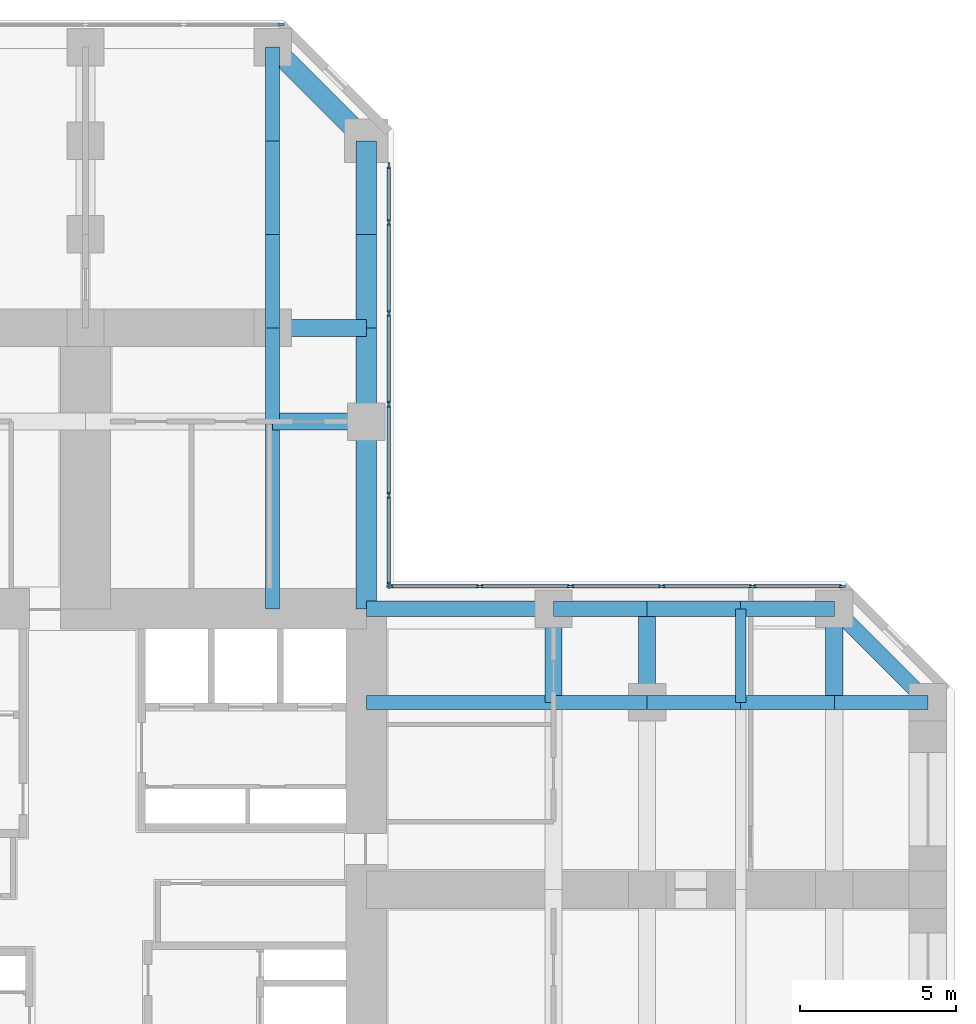
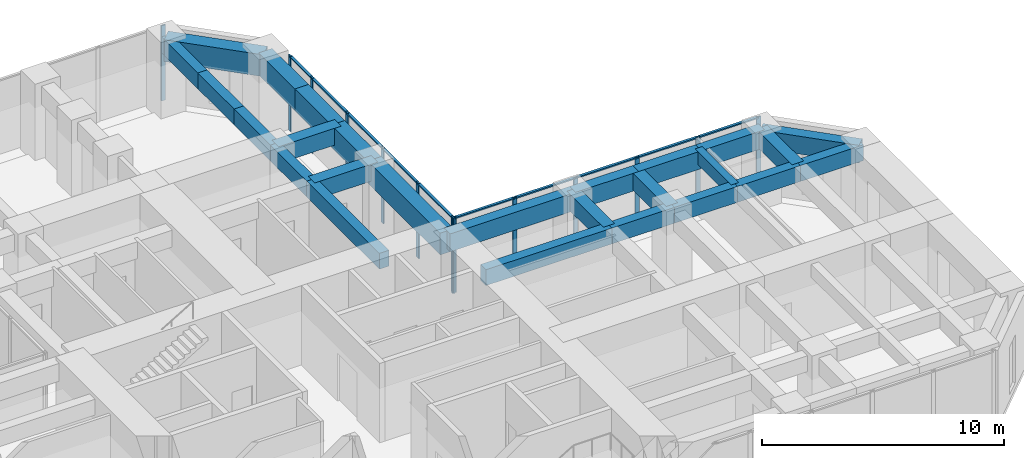
# One storey, part 6 of 12: 26 beams, 23 members, 3 elements without a shape of their own.
"""IFC4 building model written with IfcOpenShell, lengths in metres."""

import ifcopenshell
import ifcopenshell.guid

model = None  # the IFC model being written
_history = None  # IfcOwnerHistory: only IFC2X3 demands one
_inside = {}  # id of a spatial element -> (the spatial element, [elements in it])
_under = {}  # id of a project, library or spatial element -> (it, [spatial elements below it])
_declared = {}  # id of a project -> (the project, [libraries it declares])
_typed = {}  # id of a type object -> (the type object, [elements of that type])
_made_of = {}  # id of a material, layer set ... -> (it, [elements and type objects made of it])


def new_model(schema):
    """Start an empty IFC model of exactly this schema.

    Asked for "IFC4X3", IfcOpenShell would pick the latest addendum, in which some entities
    have other attributes; the version numbers below select the first issue.
    IFC2X3 requires an IfcOwnerHistory on every rooted entity: one is made here for all.
    """
    global model, _history
    if schema == "IFC4X3":
        model = ifcopenshell.file(schema_version=(4, 3, 0, 0))
    else:
        model = ifcopenshell.file(schema=schema)
    _inside.clear()
    _under.clear()
    _declared.clear()
    _typed.clear()
    _made_of.clear()
    _history = None
    if model.schema == "IFC2X3":
        org = make("IfcOrganization", Name="unknown")
        user = make(
            "IfcPersonAndOrganization",
            ThePerson=make("IfcPerson", FamilyName="unknown"),
            TheOrganization=org,
        )
        app = make(
            "IfcApplication",
            ApplicationDeveloper=org,
            Version="unknown",
            ApplicationFullName="unknown",
            ApplicationIdentifier="unknown",
        )
        _history = make(
            "IfcOwnerHistory",
            OwningUser=user,
            OwningApplication=app,
            ChangeAction="ADDED",
            CreationDate=0,
        )
    return model


def make(cls, **values):
    """One entity of the class cls with the attributes given. An attribute that is None is left unset."""
    return model.create_entity(
        cls, **{name: value for name, value in values.items() if value is not None}
    )


def rooted(cls, **values):
    """An entity with a GlobalId (a new one), such as an element, a storey or a relation."""
    return make(cls, GlobalId=ifcopenshell.guid.new(), OwnerHistory=_history, **values)


def si_unit(unit_type, name, prefix=None):
    """IfcSIUnit, for example si_unit("LENGTHUNIT", "METRE", prefix="MILLI")."""
    return make("IfcSIUnit", UnitType=unit_type, Prefix=prefix, Name=name)


def assignment(units):
    """IfcUnitAssignment: the units of a project."""
    return None if units is None else make("IfcUnitAssignment", Units=units)


def point(xyz):
    """IfcCartesianPoint."""
    return None if xyz is None else make("IfcCartesianPoint", Coordinates=xyz)


def direction(xyz):
    """IfcDirection."""
    return None if xyz is None else make("IfcDirection", DirectionRatios=xyz)


def frame(location, z_axis=None, x_axis=None):
    """IfcAxis2Placement3D, a coordinate frame: its origin and axes. An axis left out is left unset."""
    return make(
        "IfcAxis2Placement3D",
        Location=point(location),
        Axis=direction(z_axis),
        RefDirection=direction(x_axis),
    )


def frame_2d(location, x_axis=None):
    """IfcAxis2Placement2D, a coordinate frame in the plane: its origin and x axis."""
    return make(
        "IfcAxis2Placement2D", Location=point(location), RefDirection=direction(x_axis)
    )


def origin():
    """The frame at (0, 0, 0) with its axes left unset."""
    return frame((0.0, 0.0, 0.0))


def origin_2d():
    """The frame at (0, 0) in the plane with its x axis left unset."""
    return frame_2d((0.0, 0.0))


def place(relative_to, where):
    """IfcLocalPlacement: puts the frame where relative to a parent placement (None: the world)."""
    return make(
        "IfcLocalPlacement", PlacementRelTo=relative_to, RelativePlacement=where
    )


def context(
    kind, dimensions, precision=None, world=None, true_north=None, identifier=None
):
    """IfcGeometricRepresentationContext, for example the 3D "Model" context."""
    return make(
        "IfcGeometricRepresentationContext",
        ContextIdentifier=identifier,
        ContextType=kind,
        CoordinateSpaceDimension=dimensions,
        Precision=precision,
        WorldCoordinateSystem=world,
        TrueNorth=true_north,
    )


def subcontext(parent, identifier, kind, view, scale=None):
    """IfcGeometricRepresentationSubContext, for example "Body" below "Model"."""
    return make(
        "IfcGeometricRepresentationSubContext",
        ContextIdentifier=identifier,
        ContextType=kind,
        ParentContext=parent,
        TargetScale=scale,
        TargetView=view,
    )


def project(units=None, contexts=None):
    """IfcProject with its units and contexts."""
    return rooted(
        "IfcProject",
        Name="project",
        RepresentationContexts=contexts,
        UnitsInContext=assignment(units),
    )


def spatial(cls, under=None, at=None, **own):
    """A site, building, storey or space (cls), placed at a placement, below another one or the project."""
    s = rooted(cls, ObjectPlacement=at, **own)
    if under is not None:
        _under.setdefault(under.id(), (under, []))[1].append(s)
    return s


def profile(cls, at=None, kind="AREA", **sizes):
    """A parametric profile (cls). Its sizes go by their IFC names, for example OverallWidth=200.0."""
    return make(cls, ProfileType=kind, Position=at, **sizes)


def rectangle(**sizes):
    """IfcRectangleProfileDef."""
    return profile("IfcRectangleProfileDef", **sizes)


def extrude(swept, where, along, depth):
    """IfcExtrudedAreaSolid: the profile swept, set in the frame where, extruded along a direction by depth."""
    return make(
        "IfcExtrudedAreaSolid",
        SweptArea=swept,
        Position=where,
        ExtrudedDirection=direction(along),
        Depth=depth,
    )


def shape(context_of_items, identifier, shape_type, items):
    """IfcShapeRepresentation: the items that make up one representation, for example the "Body"."""
    return make(
        "IfcShapeRepresentation",
        ContextOfItems=context_of_items,
        RepresentationIdentifier=identifier,
        RepresentationType=shape_type,
        Items=items,
    )


def material(Name=None, Category=None):
    """IfcMaterial."""
    return make("IfcMaterial", Name=Name, Category=Category)


def material_profile(
    of_material, cross_section, Name=None, Category=None, Priority=None
):
    """IfcMaterialProfile: a cross section and its material."""
    return make(
        "IfcMaterialProfile",
        Name=Name,
        Material=of_material,
        Profile=cross_section,
        Priority=Priority,
        Category=Category,
    )


def profile_set(profiles, Name=None, composite=None):
    """IfcMaterialProfileSet."""
    return make(
        "IfcMaterialProfileSet",
        Name=Name,
        MaterialProfiles=profiles,
        CompositeProfile=composite,
    )


def made_of(thing, what):
    """Note that an element or type object is made of a material, layer set ...; save() writes the relation."""
    if what is not None:
        _made_of.setdefault(what.id(), (what, []))[1].append(thing)
    return thing


def type_object(cls, material=None, **own):
    """A type object (cls), such as IfcWallType, which elements share."""
    return made_of(rooted(cls, **own), material)


def element(
    cls,
    number,
    at=None,
    inside=None,
    cuts=None,
    type_object=None,
    material=None,
    context=None,
    identifier="Body",
    shape_type=None,
    held_by="IfcProductDefinitionShape",
    body=None,
    shapes=None,
    **own,
):
    """One element of the class cls, such as IfcWall. Its Tag is "e" and its number.

    at: its placement. inside: the storey or other place that contains it. cuts: it is an
    opening in that element (IfcRelVoidsElement). A single representation is given by context,
    identifier, shape_type and body (its items); several are given by shapes. held_by: the class
    of the entity that holds the representations. save() writes the other relations.
    """
    e = rooted(cls, Tag="e%d" % number, ObjectPlacement=at, **own)
    if body is not None:
        shapes = [shape(context, identifier, shape_type, body)]
    if shapes is not None:
        e.Representation = make(held_by, Representations=shapes)
    if inside is not None:
        _inside.setdefault(inside.id(), (inside, []))[1].append(e)
    if cuts is not None:
        rooted(
            "IfcRelVoidsElement", RelatingBuildingElement=cuts, RelatedOpeningElement=e
        )
    if type_object is not None:
        _typed.setdefault(type_object.id(), (type_object, []))[1].append(e)
    return made_of(e, material)


def aggregate(whole, parts):
    """IfcRelAggregates: a whole, such as a stair, and the parts it consists of."""
    return rooted("IfcRelAggregates", RelatingObject=whole, RelatedObjects=parts)


def save(model, path):
    """Write the relations noted so far, then the file.

    IfcRelAggregates (storeys below a building ...), IfcRelContainedInSpatialStructure (elements
    in a storey), IfcRelDefinesByType, IfcRelAssociatesMaterial and IfcRelDeclares: one each for
    every whole, place, type object, material and project.
    """
    for whole, parts in _under.values():
        aggregate(whole, parts)
    for where, things in _inside.values():
        rooted(
            "IfcRelContainedInSpatialStructure",
            RelatedElements=things,
            RelatingStructure=where,
        )
    for kind, things in _typed.values():
        rooted("IfcRelDefinesByType", RelatedObjects=things, RelatingType=kind)
    for what, things in _made_of.values():
        rooted("IfcRelAssociatesMaterial", RelatedObjects=things, RelatingMaterial=what)
    for by, libraries in _declared.values():
        rooted("IfcRelDeclares", RelatingContext=by, RelatedDefinitions=libraries)
    model.write(path)


model = new_model("IFC4")

# Units and contexts
model_context = context("Model", 3, precision=1e-05, world=origin(), true_north=direction((0.0, 1.0)))
body_context = subcontext(model_context, "Body", "Model", "MODEL_VIEW")
ifc_project = project(units=[si_unit("LENGTHUNIT", "METRE"), si_unit("AREAUNIT", "SQUARE_METRE"), si_unit("VOLUMEUNIT", "CUBIC_METRE"), si_unit("PLANEANGLEUNIT", "RADIAN"), si_unit("MASSUNIT", "GRAM", prefix="KILO")], contexts=[model_context])

# Site, building, storey
site_placement = place(None, origin())
site = spatial("IfcSite", under=ifc_project, at=site_placement, CompositionType="ELEMENT")
building_placement = place(site_placement, origin())
building = spatial("IfcBuilding", under=site, at=building_placement, Name="Torre Cruceta", CompositionType="ELEMENT")
storey_placement = place(building_placement, frame((0.0, 0.0, 87.5)))
storey = spatial("IfcBuildingStorey", under=building, at=storey_placement, Name="L21", CompositionType="ELEMENT", Elevation=87.5)

# Beams
ifc_material_1 = material(Name="Concrete G60 (fck 60 MPa)", Category="concrete")
ifc_material_profile_1 = material_profile(ifc_material_1, rectangle(XDim=0.449951171875, YDim=0.800048828125, at=origin_2d()), Name="RC 450X800")
ifc_profile_set_1 = profile_set([ifc_material_profile_1], Name="Concrete G60 (fck 60 MPa)")
beam_type_1 = type_object("IfcBeamType", Name="COLUMN LINE BEAM RC 450X800", PredefinedType="BEAM", material=ifc_profile_set_1)
beam_1_placement = place(storey_placement, frame((6.0, 9.0, 3.39990234375), z_axis=(0.0, 1.0, 0.0), x_axis=(-1.0, 0.0, 0.0)))
element("IfcBeam", 1, at=beam_1_placement, inside=storey, type_object=beam_type_1, Name="LB1 L21 N col- 1", PredefinedType="BEAM", context=body_context, shape_type="SweptSolid", body=[
    extrude(rectangle(XDim=0.449951171875, YDim=0.800048828125, at=origin_2d()), origin(), (0.0, 0.0, 1.0), 6.0),
])
for number, where, z_axis, x_axis, name in (
    (2, (6.0, 15.0, 3.39990234375), (0.0, 1.0, 0.0), (-1.0, 0.0, 0.0), "LB1 L21 N col- 2"),
    (3, (6.0, 18.0, 3.39990234375), (0.0, 1.0, 0.0), (-1.0, 0.0, 0.0), "LB1 L21 N col- 3"),
    (4, (6.0, 21.0, 3.39990234375), (0.0, 1.0, 0.0), (-1.0, 0.0, 0.0), "LB1 L21 N col- 4"),
    (5, (6.0, 24.0, 3.39990234375), (0.0, 1.0, 0.0), (-1.0, 0.0, 0.0), "LB1 L21 N col- 5"),
):
    element("IfcBeam", number, at=place(storey_placement, frame(where, z_axis=z_axis, x_axis=x_axis)), inside=storey, type_object=beam_type_1, Name=name, PredefinedType="BEAM", context=body_context, shape_type="SweptSolid", body=[
        extrude(rectangle(XDim=0.449951171875, YDim=0.800048828125, at=origin_2d()), origin(), (0.0, 0.0, 1.0), 3.0),
    ])
beam_2_placement = place(storey_placement, frame((9.0, 6.0, 3.39990234375), z_axis=(1.0, 0.0, 0.0), x_axis=(0.0, 1.0, 0.0)))
element("IfcBeam", 6, at=beam_2_placement, inside=storey, type_object=beam_type_1, Name="LB1 L21 E col+ 1", PredefinedType="BEAM", context=body_context, shape_type="SweptSolid", body=[
    extrude(rectangle(XDim=0.449951171875, YDim=0.800048828125, at=origin_2d()), origin(), (0.0, 0.0, 1.0), 6.0),
])
for number, where, z_axis, x_axis, name in (
    (7, (15.0, 6.0, 3.39990234375), (1.0, 0.0, 0.0), (0.0, 1.0, 0.0), "LB1 L21 E col+ 2"),
    (8, (18.0, 6.0, 3.39990234375), (1.0, 0.0, 0.0), (0.0, 1.0, 0.0), "LB1 L21 E col+ 3"),
    (9, (21.0, 6.0, 3.39990234375), (1.0, 0.0, 0.0), (0.0, 1.0, 0.0), "LB1 L21 E col+ 4"),
    (10, (24.0, 6.0, 3.39990234375), (1.0, 0.0, 0.0), (0.0, 1.0, 0.0), "LB1 L21 E col+ 5"),
):
    element("IfcBeam", number, at=place(storey_placement, frame(where, z_axis=z_axis, x_axis=x_axis)), inside=storey, type_object=beam_type_1, Name=name, PredefinedType="BEAM", context=body_context, shape_type="SweptSolid", body=[
        extrude(rectangle(XDim=0.449951171875, YDim=0.800048828125, at=origin_2d()), origin(), (0.0, 0.0, 1.0), 3.0),
    ])
ifc_material_2 = material(Name="Concrete G60 (fck 60 MPa)", Category="concrete")
ifc_material_profile_2 = material_profile(ifc_material_2, rectangle(XDim=0.550048828125, YDim=0.85009765625, at=origin_2d()), Name="RC 550X850")
ifc_profile_set_2 = profile_set([ifc_material_profile_2], Name="Concrete G60 (fck 60 MPa)")
beam_type_2 = type_object("IfcBeamType", Name="CROSS BEAM RC 550X850", PredefinedType="BEAM", material=ifc_profile_set_2)
for number, where, z_axis, x_axis, name in (
    (11, (9.0, 15.0, 3.375), (-1.0, 0.0, 0.0), (0.0, -1.0, 0.0), "GB4 L21 N cross15 1"),
    (12, (9.0, 18.0, 3.375), (-1.0, 0.0, 0.0), (0.0, -1.0, 0.0), "GB4 L21 N cross18 1"),
    (13, (15.0, 6.0, 3.375), (0.0, 1.0, 0.0), (-1.0, 0.0, 0.0), "GB4 L21 E cross15 4"),
    (14, (18.0, 6.0, 3.375), (0.0, 1.0, 0.0), (-1.0, 0.0, 0.0), "GB4 L21 E cross18 4"),
    (15, (24.0, 6.0, 3.375), (0.0, 1.0, 0.0), (-1.0, 0.0, 0.0), "GB4 L21 E cross24 4"),
):
    element("IfcBeam", number, at=place(storey_placement, frame(where, z_axis=z_axis, x_axis=x_axis)), inside=storey, type_object=beam_type_2, Name=name, PredefinedType="BEAM", context=body_context, shape_type="SweptSolid", body=[
        extrude(rectangle(XDim=0.550048828125, YDim=0.85009765625, at=origin_2d()), origin(), (0.0, 0.0, 1.0), 3.0),
    ])

# Curtain wall, members
ifc_material_3 = material(Name="Aluminium unitised curtain wall", Category="aluminium")
curtain_wall_type = type_object("IfcCurtainWallType", Name="CURTAIN WALL CW-A OFFICE LOW RISE", PredefinedType="USERDEFINED", material=ifc_material_3)
curtain_wall_1_placement = place(storey_placement, origin())
curtain_wall_1 = element("IfcCurtainWall", 16, at=curtain_wall_1_placement, inside=storey, type_object=curtain_wall_type, Name="CW-A L21 E side 04", ObjectType="UNITISED", PredefinedType="USERDEFINED")
ifc_material_4 = material(Name="Aluminium mullion", Category="aluminium")
ifc_material_profile_3 = material_profile(ifc_material_4, rectangle(XDim=0.06494140625, YDim=0.199951171875, at=origin_2d()), Name="AL 65X200")
ifc_profile_set_3 = profile_set([ifc_material_profile_3], Name="Aluminium mullion")
member_type_1 = type_object("IfcMemberType", Name="CW-A MULLION 65X200", PredefinedType="MULLION", material=ifc_profile_set_3)
member_1_placement = place(storey_placement, frame((24.265625, 9.719970703125, 0.0), z_axis=(0.0, 0.0, 1.0), x_axis=(0.0, -1.0, 0.0)))
member_1 = element("IfcMember", 17, at=member_1_placement, type_object=member_type_1, Name="CW-A mullion 1", PredefinedType="MULLION", context=body_context, shape_type="SweptSolid", body=[
    extrude(rectangle(XDim=0.06494140625, YDim=0.199951171875, at=origin_2d()), origin(), (0.0, 0.0, 1.0), 3.800048828125),
])
member_2_placement = place(storey_placement, frame((21.382568359375, 9.719970703125, 0.0), z_axis=(0.0, 0.0, 1.0), x_axis=(0.0, -1.0, 0.0)))
member_2 = element("IfcMember", 18, at=member_2_placement, type_object=member_type_1, Name="CW-A mullion 2", PredefinedType="MULLION", context=body_context, shape_type="SweptSolid", body=[
    extrude(rectangle(XDim=0.06494140625, YDim=0.199951171875, at=origin_2d()), origin(), (0.0, 0.0, 1.0), 3.800048828125),
])
member_3_placement = place(storey_placement, frame((18.467041015625, 9.719970703125, 0.0), z_axis=(0.0, 0.0, 1.0), x_axis=(0.0, -1.0, 0.0)))
member_3 = element("IfcMember", 19, at=member_3_placement, type_object=member_type_1, Name="CW-A mullion 3", PredefinedType="MULLION", context=body_context, shape_type="SweptSolid", body=[
    extrude(rectangle(XDim=0.06494140625, YDim=0.199951171875, at=origin_2d()), origin(), (0.0, 0.0, 1.0), 3.800048828125),
])
member_4_placement = place(storey_placement, frame((15.55126953125, 9.719970703125, 0.0), z_axis=(0.0, 0.0, 1.0), x_axis=(0.0, -1.0, 0.0)))
member_4 = element("IfcMember", 20, at=member_4_placement, type_object=member_type_1, Name="CW-A mullion 4", PredefinedType="MULLION", context=body_context, shape_type="SweptSolid", body=[
    extrude(rectangle(XDim=0.06494140625, YDim=0.199951171875, at=origin_2d()), origin(), (0.0, 0.0, 1.0), 3.800048828125),
])
member_5_placement = place(storey_placement, frame((12.6357421875, 9.719970703125, 0.0), z_axis=(0.0, 0.0, 1.0), x_axis=(0.0, -1.0, 0.0)))
member_5 = element("IfcMember", 21, at=member_5_placement, type_object=member_type_1, Name="CW-A mullion 5", PredefinedType="MULLION", context=body_context, shape_type="SweptSolid", body=[
    extrude(rectangle(XDim=0.06494140625, YDim=0.199951171875, at=origin_2d()), origin(), (0.0, 0.0, 1.0), 3.800048828125),
])
member_6_placement = place(storey_placement, frame((9.75244140625, 9.719970703125, 0.0), z_axis=(0.0, 0.0, 1.0), x_axis=(0.0, -1.0, 0.0)))
member_6 = element("IfcMember", 22, at=member_6_placement, type_object=member_type_1, Name="CW-A mullion 6", PredefinedType="MULLION", context=body_context, shape_type="SweptSolid", body=[
    extrude(rectangle(XDim=0.06494140625, YDim=0.199951171875, at=origin_2d()), origin(), (0.0, 0.0, 1.0), 3.800048828125),
])

curtain_wall_2_placement = place(storey_placement, origin())
curtain_wall_2 = element("IfcCurtainWall", 23, at=curtain_wall_2_placement, inside=storey, type_object=curtain_wall_type, Name="CW-A L21 N side 05", ObjectType="UNITISED", PredefinedType="USERDEFINED")
member_7_placement = place(storey_placement, frame((9.719970703125, 9.75244140625, 0.0), z_axis=(0.0, 0.0, 1.0), x_axis=(-1.0, 0.0, 0.0)))
member_7 = element("IfcMember", 24, at=member_7_placement, type_object=member_type_1, Name="CW-A mullion 1", PredefinedType="MULLION", context=body_context, shape_type="SweptSolid", body=[
    extrude(rectangle(XDim=0.06494140625, YDim=0.199951171875, at=origin_2d()), origin(), (0.0, 0.0, 1.0), 3.800048828125),
])
member_8_placement = place(storey_placement, frame((9.719970703125, 12.6357421875, 0.0), z_axis=(0.0, 0.0, 1.0), x_axis=(-1.0, 0.0, 0.0)))
member_8 = element("IfcMember", 25, at=member_8_placement, type_object=member_type_1, Name="CW-A mullion 2", PredefinedType="MULLION", context=body_context, shape_type="SweptSolid", body=[
    extrude(rectangle(XDim=0.06494140625, YDim=0.199951171875, at=origin_2d()), origin(), (0.0, 0.0, 1.0), 3.800048828125),
])
member_9_placement = place(storey_placement, frame((9.719970703125, 15.55126953125, 0.0), z_axis=(0.0, 0.0, 1.0), x_axis=(-1.0, 0.0, 0.0)))
member_9 = element("IfcMember", 26, at=member_9_placement, type_object=member_type_1, Name="CW-A mullion 3", PredefinedType="MULLION", context=body_context, shape_type="SweptSolid", body=[
    extrude(rectangle(XDim=0.06494140625, YDim=0.199951171875, at=origin_2d()), origin(), (0.0, 0.0, 1.0), 3.800048828125),
])
member_10_placement = place(storey_placement, frame((9.719970703125, 18.467041015625, 0.0), z_axis=(0.0, 0.0, 1.0), x_axis=(-1.0, 0.0, 0.0)))
member_10 = element("IfcMember", 27, at=member_10_placement, type_object=member_type_1, Name="CW-A mullion 4", PredefinedType="MULLION", context=body_context, shape_type="SweptSolid", body=[
    extrude(rectangle(XDim=0.06494140625, YDim=0.199951171875, at=origin_2d()), origin(), (0.0, 0.0, 1.0), 3.800048828125),
])
member_11_placement = place(storey_placement, frame((9.719970703125, 21.382568359375, 0.0), z_axis=(0.0, 0.0, 1.0), x_axis=(-1.0, 0.0, 0.0)))
member_11 = element("IfcMember", 28, at=member_11_placement, type_object=member_type_1, Name="CW-A mullion 5", PredefinedType="MULLION", context=body_context, shape_type="SweptSolid", body=[
    extrude(rectangle(XDim=0.06494140625, YDim=0.199951171875, at=origin_2d()), origin(), (0.0, 0.0, 1.0), 3.800048828125),
])
member_12_placement = place(storey_placement, frame((9.719970703125, 23.198974609375, 0.0), z_axis=(0.0, 0.0, 1.0), x_axis=(-1.0, 0.0, 0.0)))
member_12 = element("IfcMember", 29, at=member_12_placement, type_object=member_type_1, Name="CW-A mullion 6", PredefinedType="MULLION", context=body_context, shape_type="SweptSolid", body=[
    extrude(rectangle(XDim=0.06494140625, YDim=0.199951171875, at=origin_2d()), origin(), (0.0, 0.0, 1.0), 3.800048828125),
])

# Curtain wall, member
curtain_wall_3_placement = place(storey_placement, origin())
curtain_wall_3 = element("IfcCurtainWall", 30, at=curtain_wall_3_placement, inside=storey, type_object=curtain_wall_type, Name="CW-A L21 N tip 07", ObjectType="UNITISED", PredefinedType="USERDEFINED")
member_13_placement = place(storey_placement, frame((6.265625, 27.719970703125, 0.0), z_axis=(0.0, 0.0, 1.0), x_axis=(0.0, -1.0, 0.0)))
member_13 = element("IfcMember", 31, at=member_13_placement, type_object=member_type_1, Name="CW-A mullion 1", PredefinedType="MULLION", context=body_context, shape_type="SweptSolid", body=[
    extrude(rectangle(XDim=0.06494140625, YDim=0.199951171875, at=origin_2d()), origin(), (0.0, 0.0, 1.0), 3.800048828125),
])
aggregate(curtain_wall_3, [member_13])

# Member
ifc_material_5 = material(Name="Aluminium transom", Category="aluminium")
ifc_material_profile_4 = material_profile(ifc_material_5, rectangle(XDim=0.1201171875, YDim=0.06494140625, at=origin_2d()), Name="AL 120X65")
ifc_profile_set_4 = profile_set([ifc_material_profile_4], Name="Aluminium transom")
member_type_2 = type_object("IfcMemberType", Name="CW-A TRANSOM 65X120", PredefinedType="USERDEFINED", material=ifc_profile_set_4)
member_14_placement = place(storey_placement, frame((24.233154296875, 9.719970703125, 3.767578125), z_axis=(-1.0, 0.0, 0.0), x_axis=(0.0, -1.0, 0.0)))
member_14 = element("IfcMember", 32, at=member_14_placement, type_object=member_type_2, Name="CW-A transom 1", ObjectType="TRANSOM", PredefinedType="USERDEFINED", context=body_context, shape_type="SweptSolid", body=[
    extrude(rectangle(XDim=0.1201171875, YDim=0.06494140625, at=origin_2d()), origin(), (0.0, 0.0, 1.0), 2.818115234375),
])

member_15_placement = place(storey_placement, frame((21.35009765625, 9.719970703125, 3.767578125), z_axis=(-1.0, 0.0, 0.0), x_axis=(0.0, -1.0, 0.0)))
member_15 = element("IfcMember", 33, at=member_15_placement, type_object=member_type_2, Name="CW-A transom 2", ObjectType="TRANSOM", PredefinedType="USERDEFINED", context=body_context, shape_type="SweptSolid", body=[
    extrude(rectangle(XDim=0.1201171875, YDim=0.06494140625, at=origin_2d()), origin(), (0.0, 0.0, 1.0), 2.8505859375),
])

member_16_placement = place(storey_placement, frame((18.434326171875, 9.719970703125, 3.767578125), z_axis=(-1.0, 0.0, 0.0), x_axis=(0.0, -1.0, 0.0)))
member_16 = element("IfcMember", 34, at=member_16_placement, type_object=member_type_2, Name="CW-A transom 3", ObjectType="TRANSOM", PredefinedType="USERDEFINED", context=body_context, shape_type="SweptSolid", body=[
    extrude(rectangle(XDim=0.1201171875, YDim=0.06494140625, at=origin_2d()), origin(), (0.0, 0.0, 1.0), 2.8505859375),
])

member_17_placement = place(storey_placement, frame((15.518798828125, 9.719970703125, 3.767578125), z_axis=(-1.0, 0.0, 0.0), x_axis=(0.0, -1.0, 0.0)))
member_17 = element("IfcMember", 35, at=member_17_placement, type_object=member_type_2, Name="CW-A transom 4", ObjectType="TRANSOM", PredefinedType="USERDEFINED", context=body_context, shape_type="SweptSolid", body=[
    extrude(rectangle(XDim=0.1201171875, YDim=0.06494140625, at=origin_2d()), origin(), (0.0, 0.0, 1.0), 2.8505859375),
])

member_18_placement = place(storey_placement, frame((12.60302734375, 9.719970703125, 3.767578125), z_axis=(-1.0, 0.0, 0.0), x_axis=(0.0, -1.0, 0.0)))
member_18 = element("IfcMember", 36, at=member_18_placement, type_object=member_type_2, Name="CW-A transom 5", ObjectType="TRANSOM", PredefinedType="USERDEFINED", context=body_context, shape_type="SweptSolid", body=[
    extrude(rectangle(XDim=0.1201171875, YDim=0.06494140625, at=origin_2d()), origin(), (0.0, 0.0, 1.0), 2.818115234375),
])

aggregate(curtain_wall_1, [member_1, member_2, member_3, member_4, member_5, member_6, member_14, member_15, member_16, member_17, member_18])

member_19_placement = place(storey_placement, frame((9.719970703125, 9.784912109375, 3.767578125), z_axis=(0.0, 1.0, 0.0), x_axis=(-1.0, 0.0, 0.0)))
member_19 = element("IfcMember", 37, at=member_19_placement, type_object=member_type_2, Name="CW-A transom 1", ObjectType="TRANSOM", PredefinedType="USERDEFINED", context=body_context, shape_type="SweptSolid", body=[
    extrude(rectangle(XDim=0.1201171875, YDim=0.06494140625, at=origin_2d()), origin(), (0.0, 0.0, 1.0), 2.818115234375),
])

member_20_placement = place(storey_placement, frame((9.719970703125, 12.668212890625, 3.767578125), z_axis=(0.0, 1.0, 0.0), x_axis=(-1.0, 0.0, 0.0)))
member_20 = element("IfcMember", 38, at=member_20_placement, type_object=member_type_2, Name="CW-A transom 2", ObjectType="TRANSOM", PredefinedType="USERDEFINED", context=body_context, shape_type="SweptSolid", body=[
    extrude(rectangle(XDim=0.1201171875, YDim=0.06494140625, at=origin_2d()), origin(), (0.0, 0.0, 1.0), 2.8505859375),
])

member_21_placement = place(storey_placement, frame((9.719970703125, 15.583740234375, 3.767578125), z_axis=(0.0, 1.0, 0.0), x_axis=(-1.0, 0.0, 0.0)))
member_21 = element("IfcMember", 39, at=member_21_placement, type_object=member_type_2, Name="CW-A transom 3", ObjectType="TRANSOM", PredefinedType="USERDEFINED", context=body_context, shape_type="SweptSolid", body=[
    extrude(rectangle(XDim=0.1201171875, YDim=0.06494140625, at=origin_2d()), origin(), (0.0, 0.0, 1.0), 2.8505859375),
])

member_22_placement = place(storey_placement, frame((9.719970703125, 18.49951171875, 3.767578125), z_axis=(0.0, 1.0, 0.0), x_axis=(-1.0, 0.0, 0.0)))
member_22 = element("IfcMember", 40, at=member_22_placement, type_object=member_type_2, Name="CW-A transom 4", ObjectType="TRANSOM", PredefinedType="USERDEFINED", context=body_context, shape_type="SweptSolid", body=[
    extrude(rectangle(XDim=0.1201171875, YDim=0.06494140625, at=origin_2d()), origin(), (0.0, 0.0, 1.0), 2.8505859375),
])

member_23_placement = place(storey_placement, frame((9.719970703125, 21.4150390625, 3.767578125), z_axis=(0.0, 1.0, 0.0), x_axis=(-1.0, 0.0, 0.0)))
member_23 = element("IfcMember", 41, at=member_23_placement, type_object=member_type_2, Name="CW-A transom 5", ObjectType="TRANSOM", PredefinedType="USERDEFINED", context=body_context, shape_type="SweptSolid", body=[
    extrude(rectangle(XDim=0.1201171875, YDim=0.06494140625, at=origin_2d()), origin(), (0.0, 0.0, 1.0), 1.75146484375),
])

aggregate(curtain_wall_2, [member_7, member_8, member_9, member_10, member_11, member_12, member_19, member_20, member_21, member_22, member_23])

# Beams
ifc_material_6 = material(Name="Concrete G60 (fck 60 MPa)", Category="concrete")
ifc_material_profile_5 = material_profile(ifc_material_6, rectangle(XDim=0.35009765625, YDim=0.64990234375, at=origin_2d()), Name="RC 350X650")
ifc_profile_set_5 = profile_set([ifc_material_profile_5], Name="Concrete G60 (fck 60 MPa)")
beam_type_3 = type_object("IfcBeamType", Name="SECONDARY BEAM RC 350X650", PredefinedType="JOIST", material=ifc_profile_set_5)
beam_3_placement = place(storey_placement, frame((21.0, 6.0, 3.47509765625), z_axis=(0.0, 1.0, 0.0), x_axis=(-1.0, 0.0, 0.0)))
element("IfcBeam", 42, at=beam_3_placement, inside=storey, type_object=beam_type_3, Name="JB3 L21 E sec21 4", PredefinedType="JOIST", context=body_context, shape_type="SweptSolid", body=[
    extrude(rectangle(XDim=0.35009765625, YDim=0.64990234375, at=origin_2d()), origin(), (0.0, 0.0, 1.0), 3.0),
])
ifc_material_7 = material(Name="Concrete G60 (fck 60 MPa)", Category="concrete")
ifc_material_profile_6 = material_profile(ifc_material_7, rectangle(XDim=0.5, YDim=0.89990234375, at=origin_2d()), Name="RC 500X900")
ifc_profile_set_6 = profile_set([ifc_material_profile_6], Name="Concrete G60 (fck 60 MPa)")
beam_type_4 = type_object("IfcBeamType", Name="SPANDREL BEAM RC 500X900", PredefinedType="SPANDREL", material=ifc_profile_set_6)
beam_4_placement = place(storey_placement, frame((9.0, 9.0, 3.35009765625), z_axis=(1.0, 0.0, 0.0), x_axis=(0.0, 1.0, 0.0)))
element("IfcBeam", 43, at=beam_4_placement, inside=storey, type_object=beam_type_4, Name="SB4 L21 E side+ 1", PredefinedType="SPANDREL", context=body_context, shape_type="SweptSolid", body=[
    extrude(rectangle(XDim=0.5, YDim=0.89990234375, at=origin_2d()), origin(), (0.0, 0.0, 1.0), 6.0),
])
for number, where, z_axis, x_axis, name in (
    (44, (15.0, 9.0, 3.35009765625), (1.0, 0.0, 0.0), (0.0, 1.0, 0.0), "SB4 L21 E side+ 2"),
    (45, (18.0, 9.0, 3.35009765625), (1.0, 0.0, 0.0), (0.0, 1.0, 0.0), "SB4 L21 E side+ 3"),
    (46, (21.0, 9.0, 3.35009765625), (1.0, 0.0, 0.0), (0.0, 1.0, 0.0), "SB4 L21 E side+ 4"),
):
    element("IfcBeam", number, at=place(storey_placement, frame(where, z_axis=z_axis, x_axis=x_axis)), inside=storey, type_object=beam_type_4, Name=name, PredefinedType="SPANDREL", context=body_context, shape_type="SweptSolid", body=[
        extrude(rectangle(XDim=0.5, YDim=0.89990234375, at=origin_2d()), origin(), (0.0, 0.0, 1.0), 3.0),
    ])
beam_5_placement = place(storey_placement, frame((24.0, 9.0, 3.35009765625), z_axis=(0.707106781187, -0.707106781187, 0.0), x_axis=(0.707106781187, 0.707106781187, 0.0)))
element("IfcBeam", 47, at=beam_5_placement, inside=storey, type_object=beam_type_4, Name="SB4 L21 E side+ 5", PredefinedType="SPANDREL", context=body_context, shape_type="SweptSolid", body=[
    extrude(rectangle(XDim=0.5, YDim=0.89990234375, at=origin_2d()), origin(), (0.0, 0.0, 1.0), 4.24267578125),
])
ifc_material_8 = material(Name="Concrete G60 (fck 60 MPa)", Category="concrete")
ifc_material_profile_7 = material_profile(ifc_material_8, rectangle(XDim=0.64990234375, YDim=1.10009765625, at=origin_2d()), Name="RC 650X1100")
ifc_profile_set_7 = profile_set([ifc_material_profile_7], Name="Concrete G60 (fck 60 MPa)")
beam_type_5 = type_object("IfcBeamType", Name="SPANDREL BEAM RC 650X1100", PredefinedType="SPANDREL", material=ifc_profile_set_7)
beam_6_placement = place(storey_placement, frame((9.0, 9.0, 3.25), z_axis=(0.0, 1.0, 0.0), x_axis=(-1.0, 0.0, 0.0)))
element("IfcBeam", 48, at=beam_6_placement, inside=storey, type_object=beam_type_5, Name="SB3 L21 N side- 1", PredefinedType="SPANDREL", context=body_context, shape_type="SweptSolid", body=[
    extrude(rectangle(XDim=0.64990234375, YDim=1.10009765625, at=origin_2d()), origin(), (0.0, 0.0, 1.0), 6.0),
])
for number, where, z_axis, x_axis, name in (
    (49, (9.0, 15.0, 3.25), (0.0, 1.0, 0.0), (-1.0, 0.0, 0.0), "SB3 L21 N side- 2"),
    (50, (9.0, 18.0, 3.25), (0.0, 1.0, 0.0), (-1.0, 0.0, 0.0), "SB3 L21 N side- 3"),
    (51, (9.0, 21.0, 3.25), (0.0, 1.0, 0.0), (-1.0, 0.0, 0.0), "SB3 L21 N side- 4"),
):
    element("IfcBeam", number, at=place(storey_placement, frame(where, z_axis=z_axis, x_axis=x_axis)), inside=storey, type_object=beam_type_5, Name=name, PredefinedType="SPANDREL", context=body_context, shape_type="SweptSolid", body=[
        extrude(rectangle(XDim=0.64990234375, YDim=1.10009765625, at=origin_2d()), origin(), (0.0, 0.0, 1.0), 3.0),
    ])
beam_7_placement = place(storey_placement, frame((9.0, 24.0, 3.25), z_axis=(-0.707106781187, 0.707106781187, 0.0), x_axis=(-0.707106781187, -0.707106781187, 0.0)))
element("IfcBeam", 52, at=beam_7_placement, inside=storey, type_object=beam_type_5, Name="SB3 L21 N side- 5", PredefinedType="SPANDREL", context=body_context, shape_type="SweptSolid", body=[
    extrude(rectangle(XDim=0.64990234375, YDim=1.10009765625, at=origin_2d()), origin(), (0.0, 0.0, 1.0), 4.24267578125),
])

save(model, "model.ifc")
